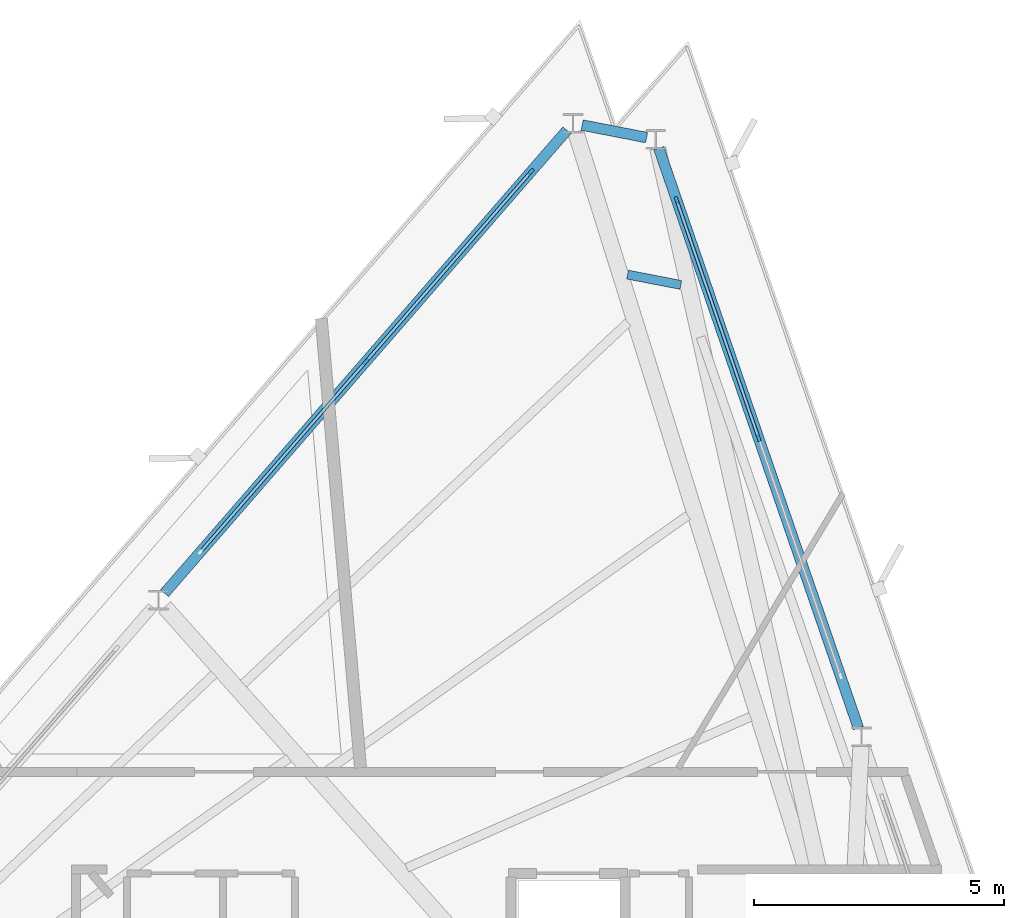
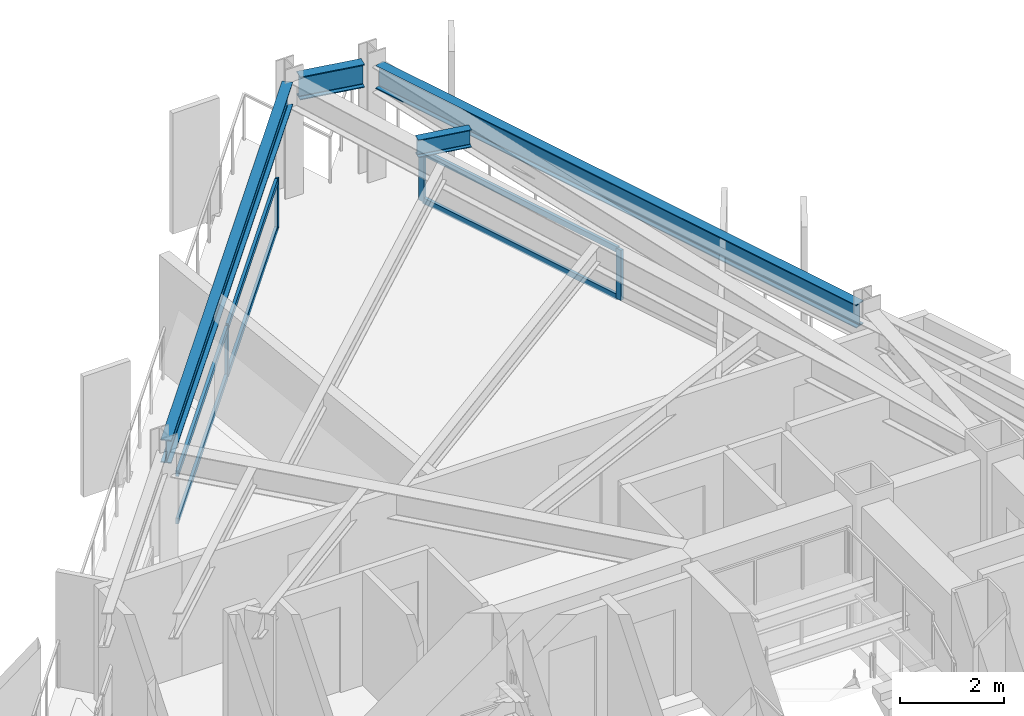
# One storey, part 7 of 14: 10 members, 4 beams, 2 elements without a shape of their own.
"""IFC4 building model written with IfcOpenShell, lengths in metres."""

from ifc_helpers import new_model, si_unit, direction, frame, origin, origin_2d, place, context, subcontext, project, spatial, rectangle, i_section, extrude, material, layer, layer_set, material_profile, profile_set, type_object, element, aggregate, save


model = new_model("IFC4")

# Units and contexts
model_context = context("Model", 3, precision=1e-05, world=origin(), true_north=direction((0.0, 1.0)))
body_context = subcontext(model_context, "Body", "Model", "MODEL_VIEW")
ifc_project = project(units=[si_unit("LENGTHUNIT", "METRE"), si_unit("AREAUNIT", "SQUARE_METRE"), si_unit("VOLUMEUNIT", "CUBIC_METRE"), si_unit("PLANEANGLEUNIT", "RADIAN"), si_unit("MASSUNIT", "GRAM", prefix="KILO")], contexts=[model_context])

# Site, building, storey
site_placement = place(None, origin())
site = spatial("IfcSite", under=ifc_project, at=site_placement, CompositionType="ELEMENT")
building_placement = place(site_placement, origin())
building = spatial("IfcBuilding", under=site, at=building_placement, Name="Rocaltana Carrier Exchange", CompositionType="ELEMENT")
storey_placement = place(building_placement, frame((0.0, 0.0, 168.47998046875)))
storey = spatial("IfcBuildingStorey", under=building, at=storey_placement, Name="L53", CompositionType="ELEMENT", Elevation=168.47998046875)

# Curtain wall, members
ifc_material_1 = material(Name="Aluminium 6063-T6", Category="aluminium")
ifc_layer = layer(ifc_material_1, 0.135009765625)
ifc_layer_set = layer_set([ifc_layer], Name="Aluminium 6063-T6")
curtain_wall_type = type_object("IfcCurtainWallType", Name="Upper-Mid Acoustic Curtain Wall CW-04", PredefinedType="NOTDEFINED", material=ifc_layer_set)
curtain_wall_1_placement = place(storey_placement, origin())
curtain_wall_1 = element("IfcCurtainWall", 1, at=curtain_wall_1_placement, inside=storey, type_object=curtain_wall_type, Name="L53 CW-04 Run CW-L53-F1S3", PredefinedType="NOTDEFINED")
ifc_material_2 = material(Name="Aluminium 6063-T6", Category="aluminium")
ifc_material_profile_1 = material_profile(ifc_material_2, rectangle(XDim=0.06494140625, YDim=0.135009765625, at=origin_2d()), Name="AL-65X135")
ifc_profile_set_1 = profile_set([ifc_material_profile_1], Name="Aluminium 6063-T6")
member_type_1 = type_object("IfcMemberType", Name="CW-04 Mullion AL-65X135", PredefinedType="MULLION", material=ifc_profile_set_1)
member_1_placement = place(storey_placement, frame((7.151611328125, 15.82373046875, 0.0), z_axis=(0.0, 0.0, 1.0), x_axis=(-0.945521800517, -0.325558788464, 0.0)))
member_1 = element("IfcMember", 2, at=member_1_placement, type_object=member_type_1, Name="CW-04 mullion 2", PredefinedType="MULLION", context=body_context, shape_type="SweptSolid", body=[
    extrude(rectangle(XDim=0.06494140625, YDim=0.135009765625, at=origin_2d()), origin(), (0.0, 0.0, 1.0), 1.177978515625),
])
member_2_placement = place(storey_placement, frame((5.5126953125, 20.583740234375, 0.0), z_axis=(0.0, 0.0, 1.0), x_axis=(-0.945521800517, -0.325558788464, 0.0)))
member_2 = element("IfcMember", 3, at=member_2_placement, type_object=member_type_1, Name="CW-04 mullion 3", PredefinedType="MULLION", context=body_context, shape_type="SweptSolid", body=[
    extrude(rectangle(XDim=0.06494140625, YDim=0.135009765625, at=origin_2d()), origin(), (0.0, 0.0, 1.0), 1.177978515625),
])

curtain_wall_2_placement = place(storey_placement, origin())
curtain_wall_2 = element("IfcCurtainWall", 4, at=curtain_wall_2_placement, inside=storey, type_object=curtain_wall_type, Name="L53 CW-04 Run CW-L53-F2S1", PredefinedType="NOTDEFINED")
member_3_placement = place(storey_placement, frame((2.599609375, 21.14990234375, 0.0), z_axis=(0.0, 0.0, 1.0), x_axis=(0.75471173919, -0.656056545375, 0.0)))
member_3 = element("IfcMember", 5, at=member_3_placement, type_object=member_type_1, Name="CW-04 mullion 1", PredefinedType="MULLION", context=body_context, shape_type="SweptSolid", body=[
    extrude(rectangle(XDim=0.06494140625, YDim=0.135009765625, at=origin_2d()), origin(), (0.0, 0.0, 1.0), 1.177978515625),
])
member_4_placement = place(storey_placement, frame((-0.703125, 17.3505859375, 0.0), z_axis=(0.0, 0.0, 1.0), x_axis=(0.75471173919, -0.656056545375, 0.0)))
member_4 = element("IfcMember", 6, at=member_4_placement, type_object=member_type_1, Name="CW-04 mullion 2", PredefinedType="MULLION", context=body_context, shape_type="SweptSolid", body=[
    extrude(rectangle(XDim=0.06494140625, YDim=0.135009765625, at=origin_2d()), origin(), (0.0, 0.0, 1.0), 1.177978515625),
])

# Member
ifc_material_3 = material(Name="Aluminium 6063-T6", Category="aluminium")
ifc_material_profile_2 = material_profile(ifc_material_3, rectangle(XDim=0.06494140625, YDim=0.135009765625, at=origin_2d()), Name="AL-65X135")
ifc_profile_set_2 = profile_set([ifc_material_profile_2], Name="Aluminium 6063-T6")
member_type_2 = type_object("IfcMemberType", Name="CW-04 Transom AL-65X135", PredefinedType="USERDEFINED", material=ifc_profile_set_2)
member_5_placement = place(storey_placement, frame((7.140869140625, 15.8544921875, 0.032470703125), z_axis=(-0.325542462737, 0.945527421578, 0.0), x_axis=(-0.945527421578, -0.325542462737, 0.0)))
member_5 = element("IfcMember", 7, at=member_5_placement, type_object=member_type_2, Name="CW-04 transom 2.1", ObjectType="TRANSOM", PredefinedType="USERDEFINED", context=body_context, shape_type="SweptSolid", body=[
    extrude(rectangle(XDim=0.06494140625, YDim=0.135009765625, at=origin_2d()), origin(), (0.0, 0.0, 1.0), 4.96923828125),
])

member_6_placement = place(storey_placement, frame((7.140869140625, 15.8544921875, 1.1455078125), z_axis=(-0.325542462737, 0.945527421578, 0.0), x_axis=(-0.945527421578, -0.325542462737, 0.0)))
member_6 = element("IfcMember", 8, at=member_6_placement, type_object=member_type_2, Name="CW-04 transom 2.2", ObjectType="TRANSOM", PredefinedType="USERDEFINED", context=body_context, shape_type="SweptSolid", body=[
    extrude(rectangle(XDim=0.06494140625, YDim=0.135009765625, at=origin_2d()), origin(), (0.0, 0.0, 1.0), 4.96923828125),
])

aggregate(curtain_wall_1, [member_1, member_2, member_5, member_6])

member_7_placement = place(storey_placement, frame((2.578369140625, 21.125244140625, 0.032470703125), z_axis=(-0.656083834105, -0.75468801675, 0.0), x_axis=(0.75468801675, -0.656083834105, 0.0)))
member_7 = element("IfcMember", 9, at=member_7_placement, type_object=member_type_2, Name="CW-04 transom 1.1", ObjectType="TRANSOM", PredefinedType="USERDEFINED", context=body_context, shape_type="SweptSolid", body=[
    extrude(rectangle(XDim=0.06494140625, YDim=0.135009765625, at=origin_2d()), origin(), (0.0, 0.0, 1.0), 4.96923828125),
])

member_8_placement = place(storey_placement, frame((2.578369140625, 21.125244140625, 1.1455078125), z_axis=(-0.656083834105, -0.75468801675, 0.0), x_axis=(0.75468801675, -0.656083834105, 0.0)))
member_8 = element("IfcMember", 10, at=member_8_placement, type_object=member_type_2, Name="CW-04 transom 1.2", ObjectType="TRANSOM", PredefinedType="USERDEFINED", context=body_context, shape_type="SweptSolid", body=[
    extrude(rectangle(XDim=0.06494140625, YDim=0.135009765625, at=origin_2d()), origin(), (0.0, 0.0, 1.0), 4.96923828125),
])

member_9_placement = place(storey_placement, frame((-0.724365234375, 17.325927734375, 0.032470703125), z_axis=(-0.656055850486, -0.754712343243, 0.0), x_axis=(0.754712343243, -0.656055850486, 0.0)))
member_9 = element("IfcMember", 11, at=member_9_placement, type_object=member_type_2, Name="CW-04 transom 2.1", ObjectType="TRANSOM", PredefinedType="USERDEFINED", context=body_context, shape_type="SweptSolid", body=[
    extrude(rectangle(XDim=0.06494140625, YDim=0.135009765625, at=origin_2d()), origin(), (0.0, 0.0, 1.0), 4.968994140625),
])

member_10_placement = place(storey_placement, frame((-0.724365234375, 17.325927734375, 1.1455078125), z_axis=(-0.656055850486, -0.754712343243, 0.0), x_axis=(0.754712343243, -0.656055850486, 0.0)))
member_10 = element("IfcMember", 12, at=member_10_placement, type_object=member_type_2, Name="CW-04 transom 2.2", ObjectType="TRANSOM", PredefinedType="USERDEFINED", context=body_context, shape_type="SweptSolid", body=[
    extrude(rectangle(XDim=0.06494140625, YDim=0.135009765625, at=origin_2d()), origin(), (0.0, 0.0, 1.0), 4.968994140625),
])

aggregate(curtain_wall_2, [member_3, member_4, member_7, member_8, member_9, member_10])

# Beams
ifc_material_4 = material(Name="Steel S355", Category="steel")
ifc_material_profile_3 = material_profile(ifc_material_4, i_section(OverallWidth=0.179931640625, OverallDepth=0.4130859375, WebThickness=0.009765625, FlangeThickness=0.01611328125, FilletRadius=0.012939453125, at=origin_2d()), Name="W16X50")
ifc_profile_set_3 = profile_set([ifc_material_profile_3], Name="Steel S355")
beam_type_1 = type_object("IfcBeamType", Name="Floor Joist W16X50", PredefinedType="JOIST", material=ifc_profile_set_3)
beam_1_placement = place(storey_placement, frame((5.59716796875, 18.8857421875, 2.511474609375), z_axis=(-0.981629422322, 0.190797477004, 0.0), x_axis=(-0.190797477004, -0.981629422322, 0.0)))
element("IfcBeam", 13, at=beam_1_placement, inside=storey, type_object=beam_type_1, Name="FJ-L53-04-3", PredefinedType="JOIST", context=body_context, shape_type="SweptSolid", body=[
    extrude(i_section(OverallWidth=0.179931640625, OverallDepth=0.4130859375, WebThickness=0.009765625, FlangeThickness=0.01611328125, FilletRadius=0.012939453125, at=origin_2d()), origin(), (0.0, 0.0, 1.0), 1.08642578125),
])
ifc_material_5 = material(Name="Steel S355", Category="steel")
ifc_material_profile_4 = material_profile(ifc_material_5, i_section(OverallWidth=0.2119140625, OverallDepth=0.5439453125, WebThickness=0.01318359375, FlangeThickness=0.021240234375, FilletRadius=0.014892578125, at=origin_2d()), Name="W21X83")
ifc_profile_set_4 = profile_set([ifc_material_profile_4], Name="Steel S355")
beam_type_2 = type_object("IfcBeamType", Name="Spandrel Edge Beam W21X83", PredefinedType="SPANDREL", material=ifc_profile_set_4)
beam_2_placement = place(storey_placement, frame((9.147705078125, 10.026611328125, 2.446044921875), z_axis=(-0.325566047792, 0.94551930098, 0.0), x_axis=(-0.94551930098, -0.325566047792, 0.0)))
element("IfcBeam", 14, at=beam_2_placement, inside=storey, type_object=beam_type_2, Name="SP-L53-03", PredefinedType="SPANDREL", context=body_context, shape_type="SweptSolid", body=[
    extrude(i_section(OverallWidth=0.2119140625, OverallDepth=0.5439453125, WebThickness=0.01318359375, FlangeThickness=0.021240234375, FilletRadius=0.014892578125, at=origin_2d()), origin(), (0.0, 0.0, 1.0), 12.26220703125),
])
beam_3_placement = place(storey_placement, frame((4.912841796875, 21.831787109375, 2.446044921875), z_axis=(-0.981624091926, 0.190824899188, 0.0), x_axis=(-0.190824899188, -0.981624091926, 0.0)))
element("IfcBeam", 15, at=beam_3_placement, inside=storey, type_object=beam_type_2, Name="SP-L53-04", PredefinedType="SPANDREL", context=body_context, shape_type="SweptSolid", body=[
    extrude(i_section(OverallWidth=0.2119140625, OverallDepth=0.5439453125, WebThickness=0.01318359375, FlangeThickness=0.021240234375, FilletRadius=0.014892578125, at=origin_2d()), origin(), (0.0, 0.0, 1.0), 1.31396484375),
])
beam_4_placement = place(storey_placement, frame((3.3193359375, 21.977783203125, 2.446044921875), z_axis=(-0.65606829307, -0.754701526982, 0.0), x_axis=(0.754701526982, -0.65606829307, 0.0)))
element("IfcBeam", 16, at=beam_4_placement, inside=storey, type_object=beam_type_2, Name="SP-L53-05", PredefinedType="SPANDREL", context=body_context, shape_type="SweptSolid", body=[
    extrude(i_section(OverallWidth=0.2119140625, OverallDepth=0.5439453125, WebThickness=0.01318359375, FlangeThickness=0.021240234375, FilletRadius=0.014892578125, at=origin_2d()), origin(), (0.0, 0.0, 1.0), 12.26220703125),
])

save(model, "model.ifc")
